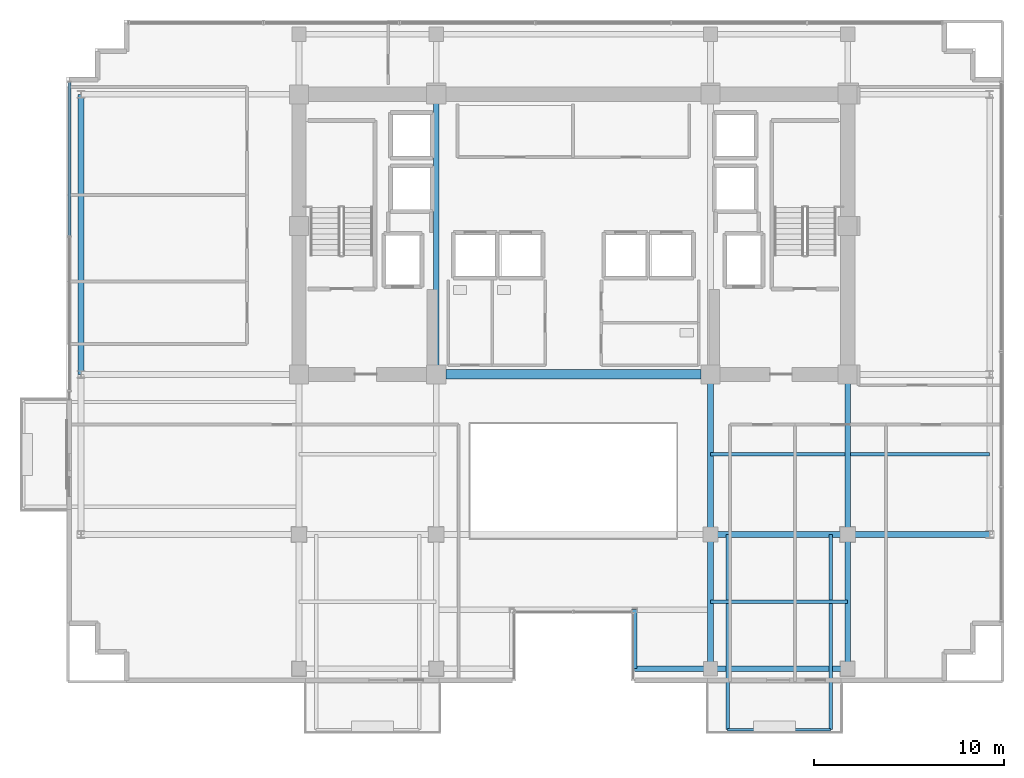
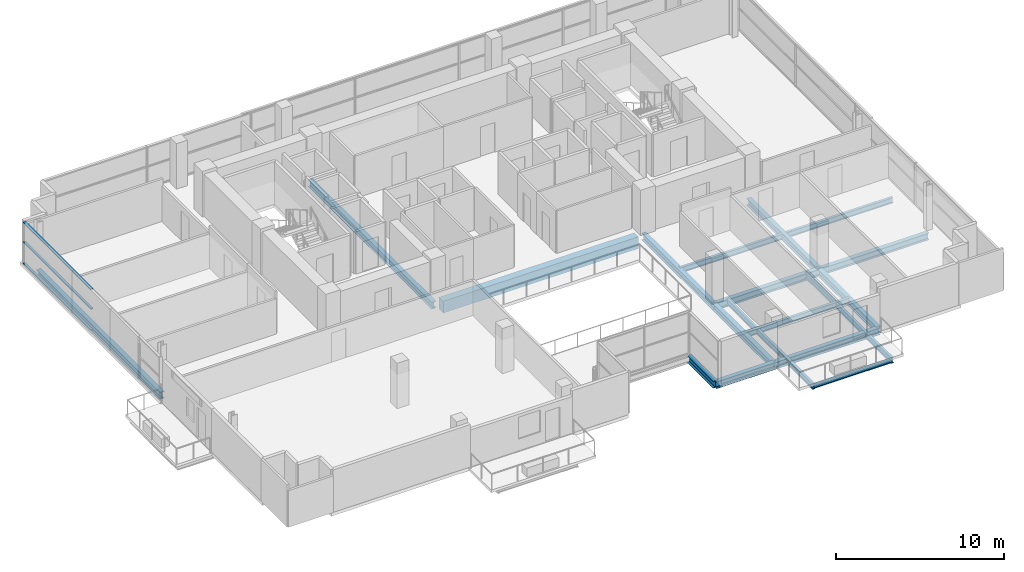
# One storey, part 5 of 21: 18 beams, 3 members, 1 element without a shape of its own.
"""IFC4 building model written with IfcOpenShell, lengths in metres."""

from ifc_helpers import new_model, si_unit, direction, frame, origin, origin_2d, place, context, subcontext, project, spatial, rectangle, hollow_rectangle, i_section, extrude, source, transform, mapped, material, layer, layer_set, material_profile, profile_set, type_object, element, aggregate, save


model = new_model("IFC4")

# Units and contexts
model_context = context("Model", 3, precision=1e-05, world=origin(), true_north=direction((0.0, 1.0)))
body_context = subcontext(model_context, "Body", "Model", "MODEL_VIEW")
ifc_project = project(units=[si_unit("LENGTHUNIT", "METRE"), si_unit("AREAUNIT", "SQUARE_METRE"), si_unit("VOLUMEUNIT", "CUBIC_METRE"), si_unit("PLANEANGLEUNIT", "RADIAN"), si_unit("MASSUNIT", "GRAM", prefix="KILO")], contexts=[model_context])

# Site, building, storey
site_placement = place(None, origin())
site = spatial("IfcSite", under=ifc_project, at=site_placement, CompositionType="ELEMENT")
building_placement = place(site_placement, origin())
building = spatial("IfcBuilding", under=site, at=building_placement, Name="Zarnakvel Exchange Tower", CompositionType="ELEMENT")
storey_placement = place(building_placement, frame((0.0, 0.0, 159.39990234375)))
storey = spatial("IfcBuildingStorey", under=building, at=storey_placement, Name="L44", CompositionType="ELEMENT", Elevation=159.39990234375)

# Beams
ifc_material_1 = material(Name="Steel S355", Category="steel")
ifc_material_profile_1 = material_profile(ifc_material_1, i_section(OverallWidth=0.179931640625, OverallDepth=0.39990234375, WebThickness=0.008544921875, FlangeThickness=0.013427734375, FilletRadius=0.02099609375, at=origin_2d()))
ifc_profile_set_1 = profile_set([ifc_material_profile_1], Name="Steel S355")
beam_type_1 = type_object("IfcBeamType", Name="B-06", PredefinedType="JOIST", material=ifc_profile_set_1)
beam_1_placement = place(storey_placement, frame((7.199951171875, -13.125, -0.4248046875), z_axis=(1.0, 0.0, 0.0), x_axis=(0.0, 1.0, 0.0)))
element("IfcBeam", 1, at=beam_1_placement, inside=storey, type_object=beam_type_1, Name="L44 Composite Floor Secondary Joist", PredefinedType="JOIST", context=body_context, shape_type="SweptSolid", body=[
    extrude(i_section(OverallWidth=0.179931640625, OverallDepth=0.39990234375, WebThickness=0.008544921875, FlangeThickness=0.013427734375, FilletRadius=0.02099609375, at=origin_2d()), origin(), (0.0, 0.0, 1.0), 7.199951171875),
])
beam_2_placement = place(storey_placement, frame((7.199951171875, -5.39990234375, -0.4248046875), z_axis=(1.0, 0.0, 0.0), x_axis=(0.0, 1.0, 0.0)))
element("IfcBeam", 2, at=beam_2_placement, inside=storey, type_object=beam_type_1, Name="L44 Composite Floor Secondary Joist", PredefinedType="JOIST", context=body_context, shape_type="SweptSolid", body=[
    extrude(i_section(OverallWidth=0.179931640625, OverallDepth=0.39990234375, WebThickness=0.008544921875, FlangeThickness=0.013427734375, FilletRadius=0.02099609375, at=origin_2d()), origin(), (0.0, 0.0, 1.0), 7.050048828125),
])
beam_3_placement = place(storey_placement, frame((14.550048828125, -5.39990234375, -0.4248046875), z_axis=(1.0, 0.0, 0.0), x_axis=(0.0, 1.0, 0.0)))
element("IfcBeam", 3, at=beam_3_placement, inside=storey, type_object=beam_type_1, Name="L44 Composite Floor Secondary Joist", PredefinedType="JOIST", context=body_context, shape_type="SweptSolid", body=[
    extrude(i_section(OverallWidth=0.179931640625, OverallDepth=0.39990234375, WebThickness=0.008544921875, FlangeThickness=0.013427734375, FilletRadius=0.02099609375, at=origin_2d()), origin(), (0.0, 0.0, 1.0), 7.300048828125),
])
for number, where, z_axis, x_axis, name in (
    (4, (8.10009765625, -9.60009765625, -0.4248046875), (0.0, -1.0, 0.0), (1.0, 0.0, 0.0), "L44 Continuous Back-Spanned Balcony Beam W"),
    (5, (13.5, -9.60009765625, -0.4248046875), (0.0, -1.0, 0.0), (1.0, 0.0, 0.0), "L44 Continuous Back-Spanned Balcony Beam E"),
):
    element("IfcBeam", number, at=place(storey_placement, frame(where, z_axis=z_axis, x_axis=x_axis)), inside=storey, type_object=beam_type_1, Name=name, PredefinedType="JOIST", context=body_context, shape_type="SweptSolid", body=[
        extrude(i_section(OverallWidth=0.179931640625, OverallDepth=0.39990234375, WebThickness=0.008544921875, FlangeThickness=0.013427734375, FilletRadius=0.02099609375, at=origin_2d()), origin(), (0.0, 0.0, 1.0), 10.25),
    ])
ifc_material_profile_2 = material_profile(ifc_material_1, i_section(OverallWidth=0.14990234375, OverallDepth=0.300048828125, WebThickness=0.007080078125, FlangeThickness=0.0107421875, FilletRadius=0.014892578125, at=origin_2d()))
ifc_profile_set_2 = profile_set([ifc_material_profile_2], Name="Steel S355")
beam_type_2 = type_object("IfcBeamType", Name="B-08", PredefinedType="JOIST", material=ifc_profile_set_2)
beam_4_placement = place(storey_placement, frame((8.10009765625, -19.85009765625, -0.375), z_axis=(1.0, 0.0, 0.0), x_axis=(0.0, 1.0, 0.0)))
element("IfcBeam", 6, at=beam_4_placement, inside=storey, type_object=beam_type_2, Name="L44 Balcony Edge Beam", PredefinedType="JOIST", context=body_context, shape_type="SweptSolid", body=[
    extrude(i_section(OverallWidth=0.14990234375, OverallDepth=0.300048828125, WebThickness=0.007080078125, FlangeThickness=0.0107421875, FilletRadius=0.014892578125, at=origin_2d()), origin(), (0.0, 0.0, 1.0), 5.39990234375),
])
ifc_material_2 = material(Name="Concrete C60/75", Category="concrete")
ifc_material_profile_3 = material_profile(ifc_material_2, rectangle(XDim=0.5, YDim=0.85009765625, at=origin_2d()))
ifc_profile_set_3 = profile_set([ifc_material_profile_3], Name="Concrete C60/75")
beam_type_3 = type_object("IfcBeamType", Name="CB-02", PredefinedType="LINTEL", material=ifc_profile_set_3)
beam_5_placement = place(storey_placement, frame((-6.699951171875, -1.199951171875, -0.64990234375), z_axis=(1.0, 0.0, 0.0), x_axis=(0.0, 1.0, 0.0)))
element("IfcBeam", 7, at=beam_5_placement, inside=storey, type_object=beam_type_3, Name="L44 Rear Core South Coupling Beam (CB-02)", PredefinedType="LINTEL", context=body_context, shape_type="SweptSolid", body=[
    extrude(rectangle(XDim=0.5, YDim=0.85009765625, at=origin_2d()), origin(), (0.0, 0.0, 1.0), 13.39990234375),
])
ifc_material_profile_4 = material_profile(ifc_material_1, i_section(OverallWidth=0.300048828125, OverallDepth=0.5, WebThickness=0.014404296875, FlangeThickness=0.028076171875, FilletRadius=0.027099609375, at=origin_2d()))
ifc_profile_set_4 = profile_set([ifc_material_profile_4], Name="Steel S355")
beam_type_4 = type_object("IfcBeamType", Name="G-06", PredefinedType="BEAM", material=ifc_profile_set_4)
beam_6_placement = place(storey_placement, frame((3.199951171875, -16.64990234375, -0.474853515625), z_axis=(0.0, 1.0, 0.0), x_axis=(-1.0, 0.0, 0.0)))
element("IfcBeam", 8, at=beam_6_placement, inside=storey, type_object=beam_type_4, Name="L44 South Slot East Cheek Beam", PredefinedType="BEAM", context=body_context, shape_type="SweptSolid", body=[
    extrude(i_section(OverallWidth=0.300048828125, OverallDepth=0.5, WebThickness=0.014404296875, FlangeThickness=0.028076171875, FilletRadius=0.027099609375, at=origin_2d()), origin(), (0.0, 0.0, 1.0), 3.099853515625),
])
beam_7_placement = place(storey_placement, frame((7.199951171875, -9.60009765625, -0.474853515625), z_axis=(1.0, 0.0, 0.0), x_axis=(0.0, 1.0, 0.0)))
element("IfcBeam", 9, at=beam_7_placement, inside=storey, type_object=beam_type_4, Name="L44 Tower E-W Frame Beam", PredefinedType="BEAM", context=body_context, shape_type="SweptSolid", body=[
    extrude(i_section(OverallWidth=0.300048828125, OverallDepth=0.5, WebThickness=0.014404296875, FlangeThickness=0.028076171875, FilletRadius=0.027099609375, at=origin_2d()), origin(), (0.0, 0.0, 1.0), 7.199951171875),
])
beam_8_placement = place(storey_placement, frame((14.39990234375, -9.60009765625, -0.474853515625), z_axis=(1.0, 0.0, 0.0), x_axis=(0.0, 1.0, 0.0)))
element("IfcBeam", 10, at=beam_8_placement, inside=storey, type_object=beam_type_4, Name="L44 Tower E-W Frame Beam", PredefinedType="BEAM", context=body_context, shape_type="SweptSolid", body=[
    extrude(i_section(OverallWidth=0.300048828125, OverallDepth=0.5, WebThickness=0.014404296875, FlangeThickness=0.028076171875, FilletRadius=0.027099609375, at=origin_2d()), origin(), (0.0, 0.0, 1.0), 7.4501953125),
])
beam_9_placement = place(storey_placement, frame((-7.199951171875, -1.199951171875, -0.474853515625), z_axis=(0.0, 1.0, 0.0), x_axis=(-1.0, 0.0, 0.0)))
element("IfcBeam", 11, at=beam_9_placement, inside=storey, type_object=beam_type_4, Name="L44 Tower N-S Frame Beam", PredefinedType="BEAM", context=body_context, shape_type="SweptSolid", body=[
    extrude(i_section(OverallWidth=0.300048828125, OverallDepth=0.5, WebThickness=0.014404296875, FlangeThickness=0.028076171875, FilletRadius=0.027099609375, at=origin_2d()), origin(), (0.0, 0.0, 1.0), 14.699951171875),
])
beam_10_placement = place(storey_placement, frame((7.199951171875, -16.64990234375, -0.474853515625), z_axis=(0.0, 1.0, 0.0), x_axis=(-1.0, 0.0, 0.0)))
element("IfcBeam", 12, at=beam_10_placement, inside=storey, type_object=beam_type_4, Name="L44 Tower N-S Frame Beam", PredefinedType="BEAM", context=body_context, shape_type="SweptSolid", body=[
    extrude(i_section(OverallWidth=0.300048828125, OverallDepth=0.5, WebThickness=0.014404296875, FlangeThickness=0.028076171875, FilletRadius=0.027099609375, at=origin_2d()), origin(), (0.0, 0.0, 1.0), 7.0498046875),
])
beam_11_placement = place(storey_placement, frame((7.199951171875, -9.60009765625, -0.474853515625), z_axis=(0.0, 1.0, 0.0), x_axis=(-1.0, 0.0, 0.0)))
element("IfcBeam", 13, at=beam_11_placement, inside=storey, type_object=beam_type_4, Name="L44 Tower N-S Frame Beam", PredefinedType="BEAM", context=body_context, shape_type="SweptSolid", body=[
    extrude(i_section(OverallWidth=0.300048828125, OverallDepth=0.5, WebThickness=0.014404296875, FlangeThickness=0.028076171875, FilletRadius=0.027099609375, at=origin_2d()), origin(), (0.0, 0.0, 1.0), 8.400146484375),
])
beam_12_placement = place(storey_placement, frame((14.39990234375, -16.64990234375, -0.474853515625), z_axis=(0.0, 1.0, 0.0), x_axis=(-1.0, 0.0, 0.0)))
element("IfcBeam", 14, at=beam_12_placement, inside=storey, type_object=beam_type_4, Name="L44 Tower N-S Frame Beam", PredefinedType="BEAM", context=body_context, shape_type="SweptSolid", body=[
    extrude(i_section(OverallWidth=0.300048828125, OverallDepth=0.5, WebThickness=0.014404296875, FlangeThickness=0.028076171875, FilletRadius=0.027099609375, at=origin_2d()), origin(), (0.0, 0.0, 1.0), 7.0498046875),
])
beam_13_placement = place(storey_placement, frame((14.39990234375, -9.60009765625, -0.474853515625), z_axis=(0.0, 1.0, 0.0), x_axis=(-1.0, 0.0, 0.0)))
element("IfcBeam", 15, at=beam_13_placement, inside=storey, type_object=beam_type_4, Name="L44 Tower N-S Frame Beam", PredefinedType="BEAM", context=body_context, shape_type="SweptSolid", body=[
    extrude(i_section(OverallWidth=0.300048828125, OverallDepth=0.5, WebThickness=0.014404296875, FlangeThickness=0.028076171875, FilletRadius=0.027099609375, at=origin_2d()), origin(), (0.0, 0.0, 1.0), 8.400146484375),
])
ifc_material_profile_5 = material_profile(ifc_material_1, i_section(OverallWidth=0.300048828125, OverallDepth=0.5, WebThickness=0.014404296875, FlangeThickness=0.028076171875, FilletRadius=0.027099609375, at=origin_2d()))
ifc_profile_set_5 = profile_set([ifc_material_profile_5], Name="Steel S355")
beam_type_5 = type_object("IfcBeamType", Name="SP-02", PredefinedType="SPANDREL", material=ifc_profile_set_5)
beam_14_placement = place(storey_placement, frame((3.199951171875, -16.64990234375, -0.474853515625), z_axis=(1.0, 0.0, 0.0), x_axis=(0.0, 1.0, 0.0)))
element("IfcBeam", 16, at=beam_14_placement, inside=storey, type_object=beam_type_5, Name="L44 South Slot East Jamb Spandrel", PredefinedType="SPANDREL", context=body_context, shape_type="SweptSolid", body=[
    extrude(i_section(OverallWidth=0.300048828125, OverallDepth=0.5, WebThickness=0.014404296875, FlangeThickness=0.028076171875, FilletRadius=0.027099609375, at=origin_2d()), origin(), (0.0, 0.0, 1.0), 4.0),
])
beam_15_placement = place(storey_placement, frame((7.199951171875, -16.64990234375, -0.474853515625), z_axis=(1.0, 0.0, 0.0), x_axis=(0.0, 1.0, 0.0)))
element("IfcBeam", 17, at=beam_15_placement, inside=storey, type_object=beam_type_5, Name="L44 Tower E-W Frame Beam", PredefinedType="SPANDREL", context=body_context, shape_type="SweptSolid", body=[
    extrude(i_section(OverallWidth=0.300048828125, OverallDepth=0.5, WebThickness=0.014404296875, FlangeThickness=0.028076171875, FilletRadius=0.027099609375, at=origin_2d()), origin(), (0.0, 0.0, 1.0), 7.199951171875),
])
beam_16_placement = place(storey_placement, frame((-25.85009765625, -1.199951171875, -0.474853515625), z_axis=(0.0, 1.0, 0.0), x_axis=(-1.0, 0.0, 0.0)))
element("IfcBeam", 18, at=beam_16_placement, inside=storey, type_object=beam_type_5, Name="L44 Tower N-S Frame Beam", PredefinedType="SPANDREL", context=body_context, shape_type="SweptSolid", body=[
    extrude(i_section(OverallWidth=0.300048828125, OverallDepth=0.5, WebThickness=0.014404296875, FlangeThickness=0.028076171875, FilletRadius=0.027099609375, at=origin_2d()), origin(), (0.0, 0.0, 1.0), 14.699951171875),
])

# Curtain wall, members
ifc_material_3 = material(Name="Architectural Bronze Anodised Aluminium", Category="aluminium")
ifc_layer = layer(ifc_material_3, 0.199951171875)
ifc_layer_set = layer_set([ifc_layer], Name="Architectural Bronze Anodised Aluminium")
curtain_wall_type = type_object("IfcCurtainWallType", Name="CW-04", PredefinedType="NOTDEFINED", material=ifc_layer_set)
curtain_wall_placement = place(storey_placement, origin())
curtain_wall = element("IfcCurtainWall", 19, at=curtain_wall_placement, inside=storey, type_object=curtain_wall_type, Name="L44 Curtain Wall CW-L44-WN (CW-04)", PredefinedType="NOTDEFINED")
ifc_material_profile_6 = material_profile(ifc_material_3, hollow_rectangle(XDim=0.159912109375, YDim=0.074951171875, WallThickness=0.00390625, at=origin_2d()))
ifc_profile_set_6 = profile_set([ifc_material_profile_6], Name="Architectural Bronze Anodised Aluminium")
member_type = type_object("IfcMemberType", Name="CWT-04", PredefinedType="USERDEFINED", material=ifc_profile_set_6)
shared_shape = source(origin(), body_context, "Body", "SweptSolid", [
    extrude(hollow_rectangle(XDim=0.159912109375, YDim=0.074951171875, WallThickness=0.00390625, at=origin_2d()), origin(), (0.0, 0.0, 1.0), 8.03759765625),
])
member_1_placement = place(storey_placement, frame((-26.4599609375, 6.08740234375, 0.03759765625), z_axis=(0.0, 1.0, 0.0), x_axis=(-1.0, 0.0, 0.0)))
member_1 = element("IfcMember", 20, at=member_1_placement, type_object=member_type, Name="CW-04 transom 2.1", ObjectType="TRANSOM", PredefinedType="USERDEFINED", context=body_context, shape_type="MappedRepresentation", body=[
    mapped(shared_shape, transform((0.0, 0.0, 0.0), x_axis=(1.0, 0.0, 0.0), y_axis=(0.0, 1.0, 0.0), z_axis=(0.0, 0.0, 1.0), scale=1.0)),
])
member_2_placement = place(storey_placement, frame((-26.4599609375, 6.08740234375, 1.588623046875), z_axis=(0.0, 1.0, 0.0), x_axis=(-1.0, 0.0, 0.0)))
member_2 = element("IfcMember", 21, at=member_2_placement, type_object=member_type, Name="CW-04 transom 2.2", ObjectType="TRANSOM", PredefinedType="USERDEFINED", context=body_context, shape_type="MappedRepresentation", body=[
    mapped(shared_shape, transform((0.0, 0.0, 0.0), x_axis=(1.0, 0.0, 0.0), y_axis=(0.0, 1.0, 0.0), z_axis=(0.0, 0.0, 1.0), scale=1.0)),
])
member_3_placement = place(storey_placement, frame((-26.4599609375, 6.08740234375, 3.017578125), z_axis=(0.0, 1.0, 0.0), x_axis=(-1.0, 0.0, 0.0)))
member_3 = element("IfcMember", 22, at=member_3_placement, type_object=member_type, Name="CW-04 transom 2.3", ObjectType="TRANSOM", PredefinedType="USERDEFINED", context=body_context, shape_type="MappedRepresentation", body=[
    mapped(shared_shape, transform((0.0, 0.0, 0.0), x_axis=(1.0, 0.0, 0.0), y_axis=(0.0, 1.0, 0.0), z_axis=(0.0, 0.0, 1.0), scale=1.0)),
])
aggregate(curtain_wall, [member_1, member_2, member_3])

save(model, "model.ifc")
